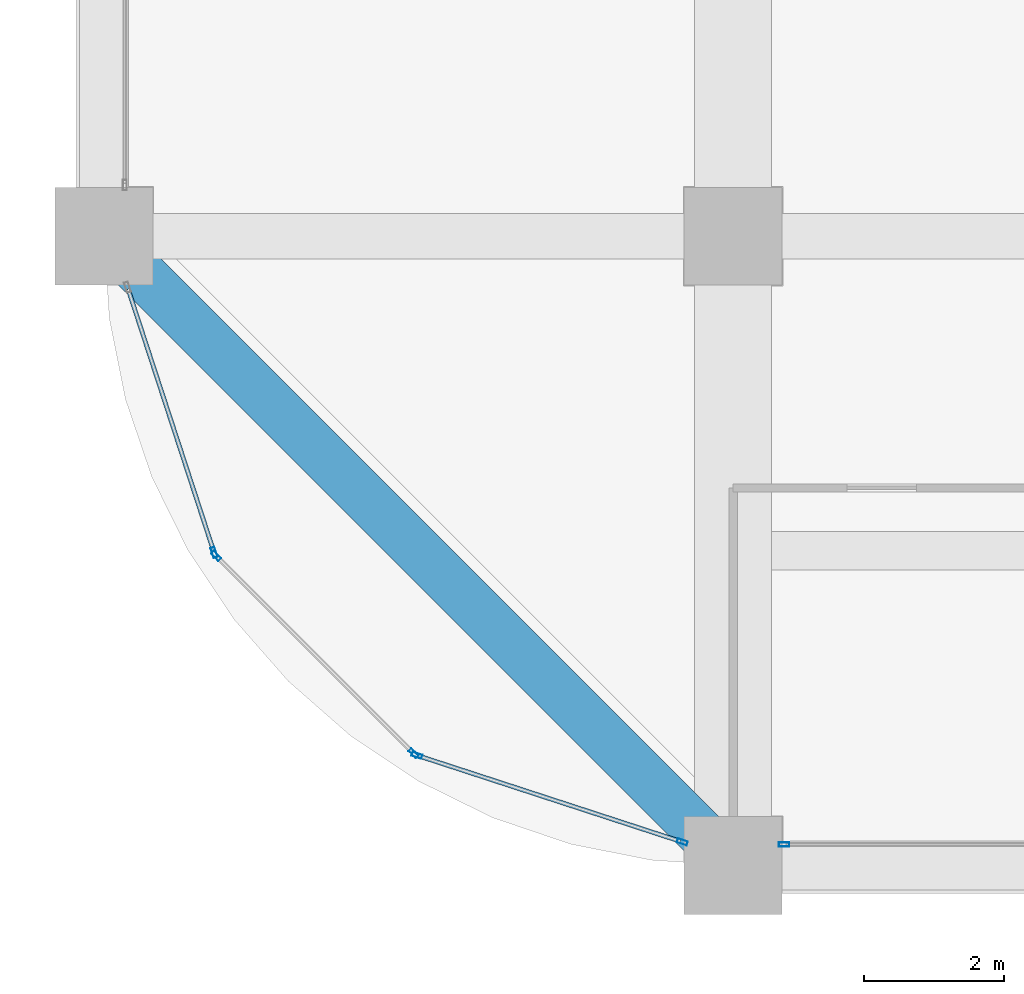
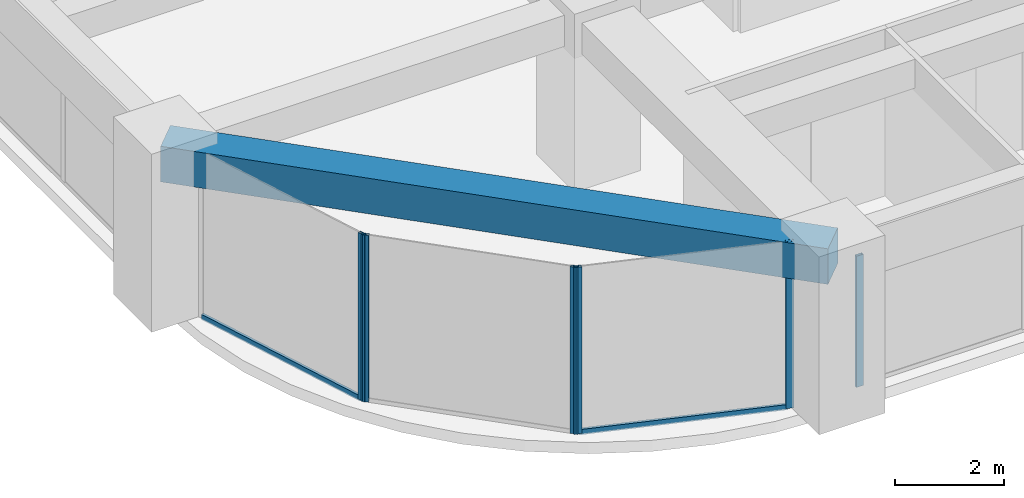
# One storey, part 2 of 33: 8 members, 1 beam, 4 elements without a shape of their own.
"""IFC4 building model written with IfcOpenShell, lengths in metres."""

from ifc_helpers import new_model, si_unit, direction, frame, origin, origin_2d, place, context, subcontext, project, spatial, rectangle, hollow_rectangle, extrude, material, material_profile, profile_set, type_object, element, aggregate, save


model = new_model("IFC4")

# Units and contexts
model_context = context("Model", 3, precision=1e-05, world=origin(), true_north=direction((0.0, 1.0)))
body_context = subcontext(model_context, "Body", "Model", "MODEL_VIEW")
ifc_project = project(units=[si_unit("LENGTHUNIT", "METRE"), si_unit("AREAUNIT", "SQUARE_METRE"), si_unit("VOLUMEUNIT", "CUBIC_METRE"), si_unit("PLANEANGLEUNIT", "RADIAN"), si_unit("MASSUNIT", "GRAM", prefix="KILO")], contexts=[model_context])

# Site, building, storey
site_placement = place(None, origin())
site = spatial("IfcSite", under=ifc_project, at=site_placement, CompositionType="ELEMENT")
building_placement = place(site_placement, origin())
building = spatial("IfcBuilding", under=site, at=building_placement, Name="Zorevar Civic Tower", CompositionType="ELEMENT")
storey_placement = place(building_placement, frame((0.0, 0.0, 206.199951171875)))
storey = spatial("IfcBuildingStorey", under=building, at=storey_placement, Name="L50", CompositionType="ELEMENT", Elevation=206.199951171875)

# Curtain wall, member
ifc_material_1 = material(Name="Dark grey solar-control glass in black aluminium frame", Category="aluminium")
curtain_wall_type = type_object("IfcCurtainWallType", Name="Curtain wall CW4 high zone", PredefinedType="NOTDEFINED", material=ifc_material_1)
curtain_wall_1_placement = place(storey_placement, origin())
curtain_wall_1 = element("IfcCurtainWall", 1, at=curtain_wall_1_placement, inside=storey, type_object=curtain_wall_type, Name="CW4 L50", PredefinedType="NOTDEFINED")
ifc_material_2 = material(Name="Aluminium, black anodised", Category="aluminium")
ifc_material_profile_1 = material_profile(ifc_material_2, hollow_rectangle(XDim=0.06005859375, YDim=0.14990234375, WallThickness=0.00390625, at=origin_2d()), Name="AL 150x60x4")
ifc_profile_set_1 = profile_set([ifc_material_profile_1], Name="Aluminium, black anodised")
member_type_1 = type_object("IfcMemberType", Name="CW4 mullion AL 150x60x4", PredefinedType="MULLION", material=ifc_profile_set_1)
member_1_placement = place(storey_placement, frame((9.72998046875, 0.300048828125, 0.0), z_axis=(0.0, 0.0, 1.0), x_axis=(0.0, 1.0, 0.0)))
member_1 = element("IfcMember", 2, at=member_1_placement, type_object=member_type_1, Name="CW4 mullion 1", PredefinedType="MULLION", context=body_context, shape_type="SweptSolid", body=[
    extrude(hollow_rectangle(XDim=0.06005859375, YDim=0.14990234375, WallThickness=0.00390625, at=origin_2d()), origin(), (0.0, 0.0, 1.0), 2.949951171875),
])
aggregate(curtain_wall_1, [member_1])

curtain_wall_2_placement = place(storey_placement, origin())
curtain_wall_2 = element("IfcCurtainWall", 3, at=curtain_wall_2_placement, inside=storey, type_object=curtain_wall_type, Name="CW4 L50", PredefinedType="NOTDEFINED")
member_2_placement = place(storey_placement, frame((1.57568359375, 4.477783203125, 0.0), z_axis=(0.0, 0.0, 1.0), x_axis=(0.950644749916, 0.310281419775, 0.0)))
member_2 = element("IfcMember", 4, at=member_2_placement, type_object=member_type_1, Name="CW4 mullion 2", PredefinedType="MULLION", context=body_context, shape_type="SweptSolid", body=[
    extrude(hollow_rectangle(XDim=0.06005859375, YDim=0.14990234375, WallThickness=0.00390625, at=origin_2d()), origin(), (0.0, 0.0, 1.0), 3.75),
])

# Curtain wall, members
curtain_wall_3_placement = place(storey_placement, origin())
curtain_wall_3 = element("IfcCurtainWall", 5, at=curtain_wall_3_placement, inside=storey, type_object=curtain_wall_type, Name="CW4 L50", PredefinedType="NOTDEFINED")
member_3_placement = place(storey_placement, frame((1.606201171875, 4.427978515625, 0.0), z_axis=(0.0, 0.0, 1.0), x_axis=(0.707106781187, 0.707106781187, 0.0)))
member_3 = element("IfcMember", 6, at=member_3_placement, type_object=member_type_1, Name="CW4 mullion 1", PredefinedType="MULLION", context=body_context, shape_type="SweptSolid", body=[
    extrude(hollow_rectangle(XDim=0.06005859375, YDim=0.14990234375, WallThickness=0.00390625, at=origin_2d()), origin(), (0.0, 0.0, 1.0), 3.75),
])
member_4_placement = place(storey_placement, frame((4.427978515625, 1.606201171875, 0.0), z_axis=(0.0, 0.0, 1.0), x_axis=(0.707106781187, 0.707106781187, 0.0)))
member_4 = element("IfcMember", 7, at=member_4_placement, type_object=member_type_1, Name="CW4 mullion 2", PredefinedType="MULLION", context=body_context, shape_type="SweptSolid", body=[
    extrude(hollow_rectangle(XDim=0.06005859375, YDim=0.14990234375, WallThickness=0.00390625, at=origin_2d()), origin(), (0.0, 0.0, 1.0), 3.75),
])
aggregate(curtain_wall_3, [member_3, member_4])

curtain_wall_4_placement = place(storey_placement, origin())
curtain_wall_4 = element("IfcCurtainWall", 8, at=curtain_wall_4_placement, inside=storey, type_object=curtain_wall_type, Name="CW4 L50", PredefinedType="NOTDEFINED")
member_5_placement = place(storey_placement, frame((4.477783203125, 1.57568359375, 0.0), z_axis=(0.0, 0.0, 1.0), x_axis=(0.310281419775, 0.950644749916, 0.0)))
member_5 = element("IfcMember", 9, at=member_5_placement, type_object=member_type_1, Name="CW4 mullion 1", PredefinedType="MULLION", context=body_context, shape_type="SweptSolid", body=[
    extrude(hollow_rectangle(XDim=0.06005859375, YDim=0.14990234375, WallThickness=0.00390625, at=origin_2d()), origin(), (0.0, 0.0, 1.0), 3.75),
])
member_6_placement = place(storey_placement, frame((8.271484375, 0.337646484375, 0.0), z_axis=(0.0, 0.0, 1.0), x_axis=(0.310281419775, 0.950644749916, 0.0)))
member_6 = element("IfcMember", 10, at=member_6_placement, type_object=member_type_1, Name="CW4 mullion 2", PredefinedType="MULLION", context=body_context, shape_type="SweptSolid", body=[
    extrude(hollow_rectangle(XDim=0.06005859375, YDim=0.14990234375, WallThickness=0.00390625, at=origin_2d()), origin(), (0.0, 0.0, 1.0), 3.75),
])

# Member
ifc_material_3 = material(Name="Aluminium, black anodised", Category="aluminium")
ifc_material_profile_2 = material_profile(ifc_material_3, hollow_rectangle(XDim=0.06005859375, YDim=0.1201171875, WallThickness=0.0029296875, at=origin_2d()), Name="AL 120x60x3")
ifc_profile_set_2 = profile_set([ifc_material_profile_2], Name="Aluminium, black anodised")
member_type_2 = type_object("IfcMemberType", Name="CW4 transom AL 120x60x3", PredefinedType="USERDEFINED", material=ifc_profile_set_2)
member_7_placement = place(storey_placement, frame((0.346923828125, 8.242919921875, 0.030029296875), z_axis=(0.31025859143, -0.950652200568, 0.0), x_axis=(0.950652200568, 0.31025859143, 0.0)))
member_7 = element("IfcMember", 11, at=member_7_placement, type_object=member_type_2, Name="CW4 sill transom", ObjectType="TRANSOM", PredefinedType="USERDEFINED", context=body_context, shape_type="SweptSolid", body=[
    extrude(hollow_rectangle(XDim=0.06005859375, YDim=0.1201171875, WallThickness=0.0029296875, at=origin_2d()), origin(), (0.0, 0.0, 1.0), 3.930419921875),
])

aggregate(curtain_wall_2, [member_2, member_7])

member_8_placement = place(storey_placement, frame((4.50634765625, 1.56640625, 0.030029296875), z_axis=(0.950652200568, -0.31025859143, 0.0), x_axis=(0.31025859143, 0.950652200568, 0.0)))
member_8 = element("IfcMember", 12, at=member_8_placement, type_object=member_type_2, Name="CW4 sill transom", ObjectType="TRANSOM", PredefinedType="USERDEFINED", context=body_context, shape_type="SweptSolid", body=[
    extrude(hollow_rectangle(XDim=0.06005859375, YDim=0.1201171875, WallThickness=0.0029296875, at=origin_2d()), origin(), (0.0, 0.0, 1.0), 3.930419921875),
])

aggregate(curtain_wall_4, [member_5, member_6, member_8])

# Beam
ifc_material_4 = material(Name="Concrete C50/60", Category="concrete")
ifc_material_profile_3 = material_profile(ifc_material_4, rectangle(XDim=0.699951171875, YDim=0.800048828125, at=origin_2d()), Name="RC 700x800")
ifc_profile_set_3 = profile_set([ifc_material_profile_3], Name="Concrete C50/60")
beam_type = type_object("IfcBeamType", Name="Edge beam RC 700x800", PredefinedType="SPANDREL", material=ifc_profile_set_3)
beam_placement = place(storey_placement, frame((0.0, 9.0, 3.35009765625), z_axis=(0.707106781187, -0.707106781187, 0.0), x_axis=(0.707106781187, 0.707106781187, 0.0)))
element("IfcBeam", 13, at=beam_placement, inside=storey, type_object=beam_type, Name="Corner edge beam L51", PredefinedType="SPANDREL", context=body_context, shape_type="SweptSolid", body=[
    extrude(rectangle(XDim=0.699951171875, YDim=0.800048828125, at=origin_2d()), origin(), (0.0, 0.0, 1.0), 12.72802734375),
])

save(model, "model.ifc")
